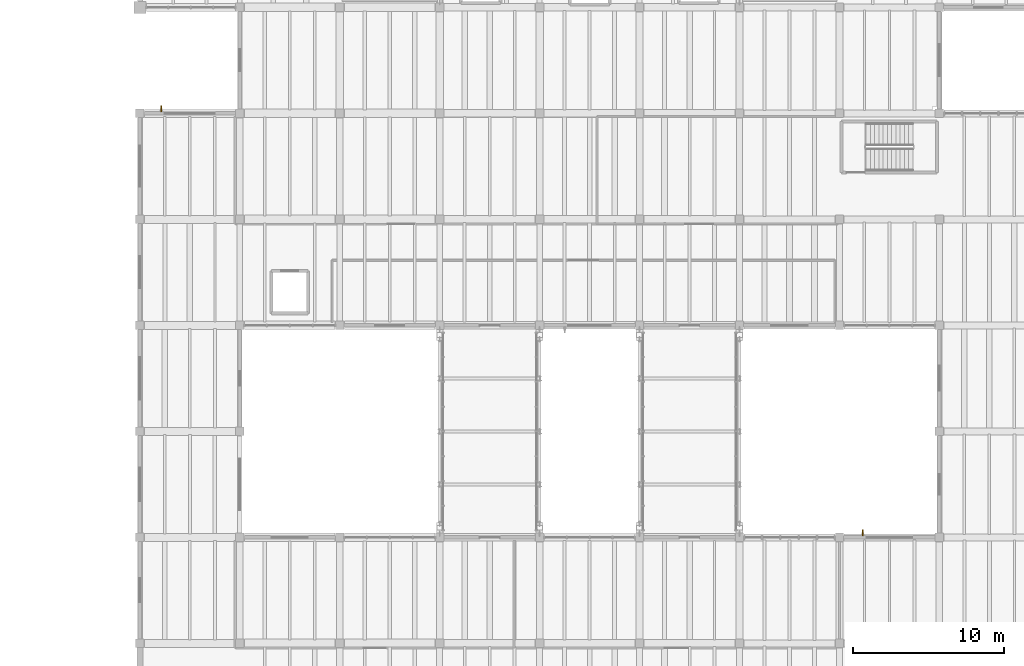
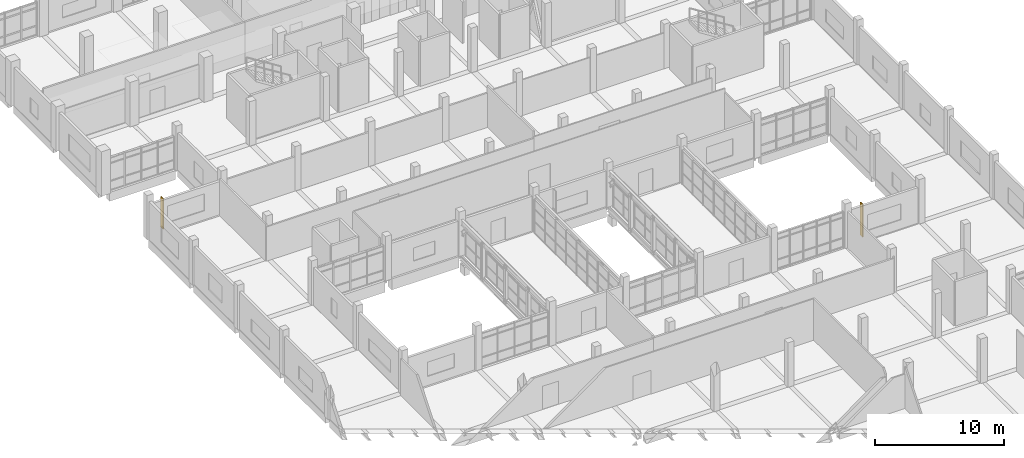
# One storey, part 64 of 67: 2 shading devices.
"""IFC4 building model written with IfcOpenShell, lengths in metres."""

from ifc_helpers import new_model, si_unit, direction, frame, origin, origin_2d, place, context, subcontext, project, spatial, rectangle, extrude, material, material_profile, profile_set, type_object, element, save


model = new_model("IFC4")

# Units and contexts
model_context = context("Model", 3, precision=1e-05, world=origin(), true_north=direction((0.0, 1.0)))
body_context = subcontext(model_context, "Body", "Model", "MODEL_VIEW")
ifc_project = project(units=[si_unit("LENGTHUNIT", "METRE"), si_unit("AREAUNIT", "SQUARE_METRE"), si_unit("VOLUMEUNIT", "CUBIC_METRE"), si_unit("PLANEANGLEUNIT", "RADIAN"), si_unit("MASSUNIT", "GRAM", prefix="KILO")], contexts=[model_context])

# Site, building, storey
site_placement = place(None, origin())
site = spatial("IfcSite", under=ifc_project, at=site_placement, CompositionType="ELEMENT")
building_placement = place(site_placement, origin())
building = spatial("IfcBuilding", under=site, at=building_placement, Name="Ciguamira Faculty of Natural Sciences", CompositionType="ELEMENT")
storey_placement = place(building_placement, frame((0.0, 0.0, 8.39990234375)))
storey = spatial("IfcBuildingStorey", under=building, at=storey_placement, Name="L02", CompositionType="ELEMENT", Elevation=8.39990234375)

# Shading devices
ifc_material = material(Name="Anodized bronze sunshade fin")
ifc_material_profile = material_profile(ifc_material, rectangle(XDim=0.06494140625, YDim=0.3798828125, at=origin_2d()), Name="BRZ-FIN-65X380")
ifc_profile_set = profile_set([ifc_material_profile], Name="Anodized bronze sunshade fin")
shading_device_type = type_object("IfcShadingDeviceType", Name="SunFin_SF01", PredefinedType="USERDEFINED", material=ifc_profile_set)
shading_device_1_placement = place(storey_placement, frame((105.050048828125, 59.300048828125, 0.2001953125), z_axis=(0.0, 0.0, 1.0), x_axis=(1.0, 0.0, 0.0)))
element("IfcShadingDevice", 1, at=shading_device_1_placement, inside=storey, type_object=shading_device_type, Name="L02 bronze vertical sunshade fin 0020", ObjectType="SUNSHADE FIN", PredefinedType="USERDEFINED", context=body_context, shape_type="SweptSolid", body=[
    extrude(rectangle(XDim=0.06494140625, YDim=0.3798828125, at=origin_2d()), origin(), (0.0, 0.0, 1.0), 3.094970703125),
])
shading_device_2_placement = place(storey_placement, frame((58.699951171875, 87.300048828125, 0.2001953125), z_axis=(0.0, 0.0, 1.0), x_axis=(1.0, 0.0, 0.0)))
element("IfcShadingDevice", 2, at=shading_device_2_placement, inside=storey, type_object=shading_device_type, Name="L02 bronze vertical sunshade fin 0022", ObjectType="SUNSHADE FIN", PredefinedType="USERDEFINED", context=body_context, shape_type="SweptSolid", body=[
    extrude(rectangle(XDim=0.06494140625, YDim=0.3798828125, at=origin_2d()), origin(), (0.0, 0.0, 1.0), 2.885009765625),
])

save(model, "model.ifc")
